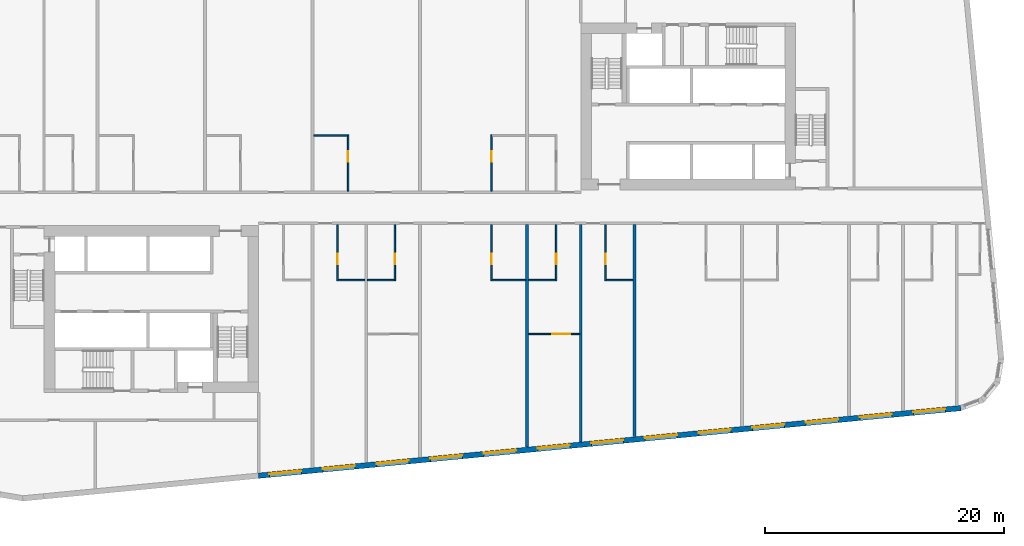
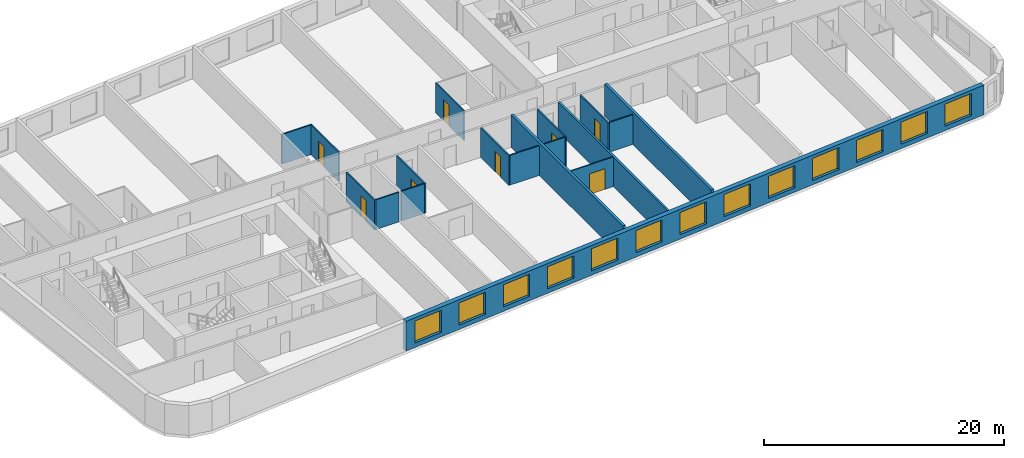
# One storey, part 4 of 12: 18 walls, 13 windows, 8 doors, 21 openings.
"""IFC4 building model written with IfcOpenShell, lengths in metres."""

from ifc_helpers import new_model, si_unit, direction, frame, frame_2d, origin, place, context, subcontext, project, spatial, rectangle, extrude, material, layer, layer_set, type_object, element, fill, save


model = new_model("IFC4")

# Units and contexts
model_context = context("Model", 3, precision=1e-05, world=origin(), true_north=direction((0.0, 1.0)))
body_context = subcontext(model_context, "Body", "Model", "MODEL_VIEW")
ifc_project = project(units=[si_unit("LENGTHUNIT", "METRE"), si_unit("AREAUNIT", "SQUARE_METRE"), si_unit("VOLUMEUNIT", "CUBIC_METRE"), si_unit("PLANEANGLEUNIT", "RADIAN"), si_unit("MASSUNIT", "GRAM", prefix="KILO")], contexts=[model_context])

# Site, building, storey
site_placement = place(None, origin())
site = spatial("IfcSite", under=ifc_project, at=site_placement, CompositionType="ELEMENT")
building_placement = place(site_placement, origin())
building = spatial("IfcBuilding", under=site, at=building_placement, Name="Kajstack Hotel Tower", CompositionType="ELEMENT")
storey_placement = place(building_placement, frame((0.0, 0.0, 114.10009765625)))
storey = spatial("IfcBuildingStorey", under=building, at=storey_placement, Name="L24", CompositionType="ELEMENT", Elevation=114.10009765625)

# Wall
ifc_material_1 = material(Name="Twin-frame gypsum board on steel studs, mineral wool", Category="steel")
ifc_layer_1 = layer(ifc_material_1, 0.199951171875)
ifc_layer_set_1 = layer_set([ifc_layer_1], Name="Demising wall 200")
wall_type_1 = type_object("IfcWallType", Name="Demising wall 200", PredefinedType="PARTITIONING", material=ifc_layer_set_1)
wall_1_placement = place(storey_placement, frame((13.5, -19.633056640625, 0.0), z_axis=(0.0, 0.0, 1.0), x_axis=(0.0, 1.0, 0.0)))
element("IfcWall", 1, at=wall_1_placement, inside=storey, type_object=wall_type_1, Name="G-wall-L24-032", PredefinedType="PARTITIONING", context=body_context, shape_type="SweptSolid", body=[
    extrude(rectangle(XDim=18.233154296875, YDim=0.199951171875, at=frame_2d((9.11669921875, 0.0))), origin(), (0.0, 0.0, 1.0), 3.02001953125),
])

# Wall, openings, windows
ifc_material_2 = material(Name="Terracotta-faced brick masonry", Category="masonry")
ifc_layer_2 = layer(ifc_material_2, 0.449951171875)
ifc_layer_set_2 = layer_set([ifc_layer_2], Name="EW-TERRA")
wall_type_2 = type_object("IfcWallType", Name="EW-TERRA", PredefinedType="SOLIDWALL", material=ifc_layer_set_2)
wall_2_placement = place(storey_placement, frame((-13.521484375, -22.46044921875, 0.0), z_axis=(0.0, 0.0, 1.0), x_axis=(0.995396096335, 0.095846812164, 0.0)))
wall_2 = element("IfcWall", 2, at=wall_2_placement, inside=storey, type_object=wall_type_2, Name="E-wall-L24-04-02", PredefinedType="SOLIDWALL", context=body_context, shape_type="SweptSolid", body=[
    extrude(rectangle(XDim=59.15087890625, YDim=0.449951171875, at=frame_2d((29.575439453125, 0.0))), origin(), (0.0, 0.0, 1.0), 3.02001953125),
])
opening_1_placement = place(wall_2_placement, frame((0.910400390625, 0.0, 0.449951171875)))
opening_1 = element("IfcOpeningElement", 3, at=opening_1_placement, cuts=wall_2, Name="Opening W1", PredefinedType="OPENING", context=body_context, shape_type="SweptSolid", body=[
    extrude(rectangle(XDim=2.699951171875, YDim=2.25, at=frame_2d((1.35009765625, 1.125))), frame((0.0, 0.23486328125, 0.0), z_axis=(0.0, -1.0, 0.0), x_axis=(1.0, 0.0, 0.0)), (0.0, 0.0, 1.0), 0.469970703125),
])
opening_2_placement = place(wall_2_placement, frame((5.43115234375, 0.0, 0.449951171875)))
opening_2 = element("IfcOpeningElement", 4, at=opening_2_placement, cuts=wall_2, Name="Opening W1", PredefinedType="OPENING", context=body_context, shape_type="SweptSolid", body=[
    extrude(rectangle(XDim=2.699951171875, YDim=2.25, at=frame_2d((1.35009765625, 1.125))), frame((0.0, 0.23486328125, 0.0), z_axis=(0.0, -1.0, 0.0), x_axis=(1.0, 0.0, 0.0)), (0.0, 0.0, 1.0), 0.469970703125),
])
opening_3_placement = place(wall_2_placement, frame((9.951904296875, 0.0, 0.449951171875)))
opening_3 = element("IfcOpeningElement", 5, at=opening_3_placement, cuts=wall_2, Name="Opening W1", PredefinedType="OPENING", context=body_context, shape_type="SweptSolid", body=[
    extrude(rectangle(XDim=2.699951171875, YDim=2.25, at=frame_2d((1.35009765625, 1.125))), frame((0.0, 0.23486328125, 0.0), z_axis=(0.0, -1.0, 0.0), x_axis=(1.0, 0.0, 0.0)), (0.0, 0.0, 1.0), 0.469970703125),
])
opening_4_placement = place(wall_2_placement, frame((14.472900390625, 0.0, 0.449951171875)))
opening_4 = element("IfcOpeningElement", 6, at=opening_4_placement, cuts=wall_2, Name="Opening W1", PredefinedType="OPENING", context=body_context, shape_type="SweptSolid", body=[
    extrude(rectangle(XDim=2.699951171875, YDim=2.25, at=frame_2d((1.35009765625, 1.125))), frame((0.0, 0.23486328125, 0.0), z_axis=(0.0, -1.0, 0.0), x_axis=(1.0, 0.0, 0.0)), (0.0, 0.0, 1.0), 0.469970703125),
])
opening_5_placement = place(wall_2_placement, frame((18.99365234375, 0.0, 0.449951171875)))
opening_5 = element("IfcOpeningElement", 7, at=opening_5_placement, cuts=wall_2, Name="Opening W1", PredefinedType="OPENING", context=body_context, shape_type="SweptSolid", body=[
    extrude(rectangle(XDim=2.699951171875, YDim=2.25, at=frame_2d((1.35009765625, 1.125))), frame((0.0, 0.23486328125, 0.0), z_axis=(0.0, -1.0, 0.0), x_axis=(1.0, 0.0, 0.0)), (0.0, 0.0, 1.0), 0.469970703125),
])
opening_6_placement = place(wall_2_placement, frame((23.514404296875, 0.0, 0.449951171875)))
opening_6 = element("IfcOpeningElement", 8, at=opening_6_placement, cuts=wall_2, Name="Opening W1", PredefinedType="OPENING", context=body_context, shape_type="SweptSolid", body=[
    extrude(rectangle(XDim=2.699951171875, YDim=2.25, at=frame_2d((1.35009765625, 1.125))), frame((0.0, 0.23486328125, 0.0), z_axis=(0.0, -1.0, 0.0), x_axis=(1.0, 0.0, 0.0)), (0.0, 0.0, 1.0), 0.469970703125),
])
opening_7_placement = place(wall_2_placement, frame((28.035400390625, 0.0, 0.449951171875)))
opening_7 = element("IfcOpeningElement", 9, at=opening_7_placement, cuts=wall_2, Name="Opening W1", PredefinedType="OPENING", context=body_context, shape_type="SweptSolid", body=[
    extrude(rectangle(XDim=2.699951171875, YDim=2.25, at=frame_2d((1.35009765625, 1.125))), frame((0.0, 0.23486328125, 0.0), z_axis=(0.0, -1.0, 0.0), x_axis=(1.0, 0.0, 0.0)), (0.0, 0.0, 1.0), 0.469970703125),
])
opening_8_placement = place(wall_2_placement, frame((32.55615234375, 0.0, 0.449951171875)))
opening_8 = element("IfcOpeningElement", 10, at=opening_8_placement, cuts=wall_2, Name="Opening W1", PredefinedType="OPENING", context=body_context, shape_type="SweptSolid", body=[
    extrude(rectangle(XDim=2.699951171875, YDim=2.25, at=frame_2d((1.35009765625, 1.125))), frame((0.0, 0.23486328125, 0.0), z_axis=(0.0, -1.0, 0.0), x_axis=(1.0, 0.0, 0.0)), (0.0, 0.0, 1.0), 0.469970703125),
])
opening_9_placement = place(wall_2_placement, frame((37.076904296875, 0.0, 0.449951171875)))
opening_9 = element("IfcOpeningElement", 11, at=opening_9_placement, cuts=wall_2, Name="Opening W1", PredefinedType="OPENING", context=body_context, shape_type="SweptSolid", body=[
    extrude(rectangle(XDim=2.699951171875, YDim=2.25, at=frame_2d((1.35009765625, 1.125))), frame((0.0, 0.23486328125, 0.0), z_axis=(0.0, -1.0, 0.0), x_axis=(1.0, 0.0, 0.0)), (0.0, 0.0, 1.0), 0.469970703125),
])
opening_10_placement = place(wall_2_placement, frame((41.59765625, 0.0, 0.449951171875)))
opening_10 = element("IfcOpeningElement", 12, at=opening_10_placement, cuts=wall_2, Name="Opening W1", PredefinedType="OPENING", context=body_context, shape_type="SweptSolid", body=[
    extrude(rectangle(XDim=2.699951171875, YDim=2.25, at=frame_2d((1.35009765625, 1.125))), frame((0.0, 0.23486328125, 0.0), z_axis=(0.0, -1.0, 0.0), x_axis=(1.0, 0.0, 0.0)), (0.0, 0.0, 1.0), 0.469970703125),
])
opening_11_placement = place(wall_2_placement, frame((46.118408203125, 0.0, 0.449951171875)))
opening_11 = element("IfcOpeningElement", 13, at=opening_11_placement, cuts=wall_2, Name="Opening W1", PredefinedType="OPENING", context=body_context, shape_type="SweptSolid", body=[
    extrude(rectangle(XDim=2.699951171875, YDim=2.25, at=frame_2d((1.35009765625, 1.125))), frame((0.0, 0.23486328125, 0.0), z_axis=(0.0, -1.0, 0.0), x_axis=(1.0, 0.0, 0.0)), (0.0, 0.0, 1.0), 0.469970703125),
])
opening_12_placement = place(wall_2_placement, frame((50.639404296875, 0.0, 0.449951171875)))
opening_12 = element("IfcOpeningElement", 14, at=opening_12_placement, cuts=wall_2, Name="Opening W1", PredefinedType="OPENING", context=body_context, shape_type="SweptSolid", body=[
    extrude(rectangle(XDim=2.699951171875, YDim=2.25, at=frame_2d((1.35009765625, 1.125))), frame((0.0, 0.23486328125, 0.0), z_axis=(0.0, -1.0, 0.0), x_axis=(1.0, 0.0, 0.0)), (0.0, 0.0, 1.0), 0.469970703125),
])
opening_13_placement = place(wall_2_placement, frame((55.149658203125, 0.0, 0.449951171875)))
opening_13 = element("IfcOpeningElement", 15, at=opening_13_placement, cuts=wall_2, Name="Opening W1", PredefinedType="OPENING", context=body_context, shape_type="SweptSolid", body=[
    extrude(rectangle(XDim=2.699951171875, YDim=2.25, at=frame_2d((1.35009765625, 1.125))), frame((0.0, 0.23486328125, 0.0), z_axis=(0.0, -1.0, 0.0), x_axis=(1.0, 0.0, 0.0)), (0.0, 0.0, 1.0), 0.469970703125),
])
ifc_material_3 = material(Name="Timber-aluminium window, triple glazed", Category="wood")
window_type = type_object("IfcWindowType", Name="WG1", PartitioningType="SINGLE_PANEL", PredefinedType="WINDOW", material=ifc_material_3)
window_1_placement = place(opening_1_placement, origin())
window_1 = element("IfcWindow", 16, at=window_1_placement, inside=storey, type_object=window_type, Name="Window W1 L24-04", OverallHeight=2.25, OverallWidth=2.699951171875, PartitioningType="SINGLE_PANEL", PredefinedType="WINDOW", context=body_context, shape_type="SweptSolid", body=[
    extrude(rectangle(XDim=2.699951171875, YDim=2.25, at=frame_2d((1.35009765625, 1.125))), frame((0.0, 0.090087890625, 0.0), z_axis=(0.0, -1.0, 0.0), x_axis=(1.0, 0.0, 0.0)), (0.0, 0.0, 1.0), 0.06005859375),
])
fill(opening_1, window_1)
window_2_placement = place(opening_2_placement, origin())
window_2 = element("IfcWindow", 17, at=window_2_placement, inside=storey, type_object=window_type, Name="Window W1 L24-04", OverallHeight=2.25, OverallWidth=2.699951171875, PartitioningType="SINGLE_PANEL", PredefinedType="WINDOW", context=body_context, shape_type="SweptSolid", body=[
    extrude(rectangle(XDim=2.699951171875, YDim=2.25, at=frame_2d((1.35009765625, 1.125))), frame((0.0, 0.090087890625, 0.0), z_axis=(0.0, -1.0, 0.0), x_axis=(1.0, 0.0, 0.0)), (0.0, 0.0, 1.0), 0.06005859375),
])
fill(opening_2, window_2)
window_3_placement = place(opening_3_placement, origin())
window_3 = element("IfcWindow", 18, at=window_3_placement, inside=storey, type_object=window_type, Name="Window W1 L24-04", OverallHeight=2.25, OverallWidth=2.699951171875, PartitioningType="SINGLE_PANEL", PredefinedType="WINDOW", context=body_context, shape_type="SweptSolid", body=[
    extrude(rectangle(XDim=2.699951171875, YDim=2.25, at=frame_2d((1.35009765625, 1.125))), frame((0.0, 0.090087890625, 0.0), z_axis=(0.0, -1.0, 0.0), x_axis=(1.0, 0.0, 0.0)), (0.0, 0.0, 1.0), 0.06005859375),
])
fill(opening_3, window_3)
window_4_placement = place(opening_4_placement, origin())
window_4 = element("IfcWindow", 19, at=window_4_placement, inside=storey, type_object=window_type, Name="Window W1 L24-04", OverallHeight=2.25, OverallWidth=2.699951171875, PartitioningType="SINGLE_PANEL", PredefinedType="WINDOW", context=body_context, shape_type="SweptSolid", body=[
    extrude(rectangle(XDim=2.699951171875, YDim=2.25, at=frame_2d((1.35009765625, 1.125))), frame((0.0, 0.090087890625, 0.0), z_axis=(0.0, -1.0, 0.0), x_axis=(1.0, 0.0, 0.0)), (0.0, 0.0, 1.0), 0.06005859375),
])
fill(opening_4, window_4)
window_5_placement = place(opening_5_placement, origin())
window_5 = element("IfcWindow", 20, at=window_5_placement, inside=storey, type_object=window_type, Name="Window W1 L24-04", OverallHeight=2.25, OverallWidth=2.699951171875, PartitioningType="SINGLE_PANEL", PredefinedType="WINDOW", context=body_context, shape_type="SweptSolid", body=[
    extrude(rectangle(XDim=2.699951171875, YDim=2.25, at=frame_2d((1.35009765625, 1.125))), frame((0.0, 0.090087890625, 0.0), z_axis=(0.0, -1.0, 0.0), x_axis=(1.0, 0.0, 0.0)), (0.0, 0.0, 1.0), 0.06005859375),
])
fill(opening_5, window_5)
window_6_placement = place(opening_6_placement, origin())
window_6 = element("IfcWindow", 21, at=window_6_placement, inside=storey, type_object=window_type, Name="Window W1 L24-04", OverallHeight=2.25, OverallWidth=2.699951171875, PartitioningType="SINGLE_PANEL", PredefinedType="WINDOW", context=body_context, shape_type="SweptSolid", body=[
    extrude(rectangle(XDim=2.699951171875, YDim=2.25, at=frame_2d((1.35009765625, 1.125))), frame((0.0, 0.090087890625, 0.0), z_axis=(0.0, -1.0, 0.0), x_axis=(1.0, 0.0, 0.0)), (0.0, 0.0, 1.0), 0.06005859375),
])
fill(opening_6, window_6)
window_7_placement = place(opening_7_placement, origin())
window_7 = element("IfcWindow", 22, at=window_7_placement, inside=storey, type_object=window_type, Name="Window W1 L24-04", OverallHeight=2.25, OverallWidth=2.699951171875, PartitioningType="SINGLE_PANEL", PredefinedType="WINDOW", context=body_context, shape_type="SweptSolid", body=[
    extrude(rectangle(XDim=2.699951171875, YDim=2.25, at=frame_2d((1.35009765625, 1.125))), frame((0.0, 0.090087890625, 0.0), z_axis=(0.0, -1.0, 0.0), x_axis=(1.0, 0.0, 0.0)), (0.0, 0.0, 1.0), 0.06005859375),
])
fill(opening_7, window_7)
window_8_placement = place(opening_8_placement, origin())
window_8 = element("IfcWindow", 23, at=window_8_placement, inside=storey, type_object=window_type, Name="Window W1 L24-04", OverallHeight=2.25, OverallWidth=2.699951171875, PartitioningType="SINGLE_PANEL", PredefinedType="WINDOW", context=body_context, shape_type="SweptSolid", body=[
    extrude(rectangle(XDim=2.699951171875, YDim=2.25, at=frame_2d((1.35009765625, 1.125))), frame((0.0, 0.090087890625, 0.0), z_axis=(0.0, -1.0, 0.0), x_axis=(1.0, 0.0, 0.0)), (0.0, 0.0, 1.0), 0.06005859375),
])
fill(opening_8, window_8)
window_9_placement = place(opening_9_placement, origin())
window_9 = element("IfcWindow", 24, at=window_9_placement, inside=storey, type_object=window_type, Name="Window W1 L24-04", OverallHeight=2.25, OverallWidth=2.699951171875, PartitioningType="SINGLE_PANEL", PredefinedType="WINDOW", context=body_context, shape_type="SweptSolid", body=[
    extrude(rectangle(XDim=2.699951171875, YDim=2.25, at=frame_2d((1.35009765625, 1.125))), frame((0.0, 0.090087890625, 0.0), z_axis=(0.0, -1.0, 0.0), x_axis=(1.0, 0.0, 0.0)), (0.0, 0.0, 1.0), 0.06005859375),
])
fill(opening_9, window_9)
window_10_placement = place(opening_10_placement, origin())
window_10 = element("IfcWindow", 25, at=window_10_placement, inside=storey, type_object=window_type, Name="Window W1 L24-04", OverallHeight=2.25, OverallWidth=2.699951171875, PartitioningType="SINGLE_PANEL", PredefinedType="WINDOW", context=body_context, shape_type="SweptSolid", body=[
    extrude(rectangle(XDim=2.699951171875, YDim=2.25, at=frame_2d((1.35009765625, 1.125))), frame((0.0, 0.090087890625, 0.0), z_axis=(0.0, -1.0, 0.0), x_axis=(1.0, 0.0, 0.0)), (0.0, 0.0, 1.0), 0.06005859375),
])
fill(opening_10, window_10)
window_11_placement = place(opening_11_placement, origin())
window_11 = element("IfcWindow", 26, at=window_11_placement, inside=storey, type_object=window_type, Name="Window W1 L24-04", OverallHeight=2.25, OverallWidth=2.699951171875, PartitioningType="SINGLE_PANEL", PredefinedType="WINDOW", context=body_context, shape_type="SweptSolid", body=[
    extrude(rectangle(XDim=2.699951171875, YDim=2.25, at=frame_2d((1.35009765625, 1.125))), frame((0.0, 0.090087890625, 0.0), z_axis=(0.0, -1.0, 0.0), x_axis=(1.0, 0.0, 0.0)), (0.0, 0.0, 1.0), 0.06005859375),
])
fill(opening_11, window_11)
window_12_placement = place(opening_12_placement, origin())
window_12 = element("IfcWindow", 27, at=window_12_placement, inside=storey, type_object=window_type, Name="Window W1 L24-04", OverallHeight=2.25, OverallWidth=2.699951171875, PartitioningType="SINGLE_PANEL", PredefinedType="WINDOW", context=body_context, shape_type="SweptSolid", body=[
    extrude(rectangle(XDim=2.699951171875, YDim=2.25, at=frame_2d((1.35009765625, 1.125))), frame((0.0, 0.090087890625, 0.0), z_axis=(0.0, -1.0, 0.0), x_axis=(1.0, 0.0, 0.0)), (0.0, 0.0, 1.0), 0.06005859375),
])
fill(opening_12, window_12)
window_13_placement = place(opening_13_placement, origin())
window_13 = element("IfcWindow", 28, at=window_13_placement, inside=storey, type_object=window_type, Name="Window W1 L24-04", OverallHeight=2.25, OverallWidth=2.699951171875, PartitioningType="SINGLE_PANEL", PredefinedType="WINDOW", context=body_context, shape_type="SweptSolid", body=[
    extrude(rectangle(XDim=2.699951171875, YDim=2.25, at=frame_2d((1.35009765625, 1.125))), frame((0.0, 0.090087890625, 0.0), z_axis=(0.0, -1.0, 0.0), x_axis=(1.0, 0.0, 0.0)), (0.0, 0.0, 1.0), 0.06005859375),
])
fill(opening_13, window_13)

# Wall, opening, door
ifc_material_4 = material(Name="Gypsum board and tiled backer on steel studs", Category="steel")
ifc_layer_3 = layer(ifc_material_4, 0.125)
ifc_layer_set_3 = layer_set([ifc_layer_3], Name="En-suite wall 125")
wall_type_3 = type_object("IfcWallType", Name="En-suite wall 125", PredefinedType="PARTITIONING", material=ifc_layer_set_3)
wall_3_placement = place(storey_placement, frame((-6.012939453125, 1.39990234375, 0.0), z_axis=(0.0, 0.0, 1.0), x_axis=(0.0, 1.0, 0.0)))
wall_3 = element("IfcWall", 29, at=wall_3_placement, inside=storey, type_object=wall_type_3, Name="G-wall-L24-015", PredefinedType="PARTITIONING", context=body_context, shape_type="SweptSolid", body=[
    extrude(rectangle(XDim=4.72509765625, YDim=0.125, at=frame_2d((2.362548828125, 0.0))), origin(), (0.0, 0.0, 1.0), 3.02001953125),
])
opening_14_placement = place(wall_3_placement, frame((2.449951171875, 0.0, 0.0)))
opening_14 = element("IfcOpeningElement", 30, at=opening_14_placement, cuts=wall_3, Name="Opening 24012", PredefinedType="OPENING", context=body_context, shape_type="SweptSolid", body=[
    extrude(rectangle(XDim=0.89990234375, YDim=2.10009765625, at=frame_2d((0.449951171875, 1.050048828125))), frame((0.0, 0.072509765625, 0.0), z_axis=(0.0, -1.0, 0.0), x_axis=(1.0, 0.0, 0.0)), (0.0, 0.0, 1.0), 0.14501953125),
])
ifc_material_5 = material(Name="Painted timber door leaf", Category="wood")
door_type_1 = type_object("IfcDoorType", Name="Room door 900", OperationType="SINGLE_SWING_LEFT", PredefinedType="DOOR", material=ifc_material_5)
door_1_placement = place(opening_14_placement, origin())
door_1 = element("IfcDoor", 31, at=door_1_placement, inside=storey, type_object=door_type_1, Name="G-door-L24-12", OperationType="SINGLE_SWING_RIGHT", OverallHeight=2.10009765625, OverallWidth=0.89990234375, PredefinedType="DOOR", context=body_context, shape_type="SweptSolid", body=[
    extrude(rectangle(XDim=0.89990234375, YDim=2.10009765625, at=frame_2d((0.449951171875, 1.050048828125))), frame((0.0, 0.02490234375, 0.0), z_axis=(0.0, -1.0, 0.0), x_axis=(1.0, 0.0, 0.0)), (0.0, 0.0, 1.0), 0.050048828125),
])
fill(opening_14, door_1)

# Wall
wall_4_placement = place(storey_placement, frame((-8.875, 6.06201171875, 0.0), z_axis=(0.0, 0.0, 1.0), x_axis=(1.0, 0.0, 0.0)))
element("IfcWall", 32, at=wall_4_placement, inside=storey, type_object=wall_type_3, Name="G-wall-L24-016", PredefinedType="PARTITIONING", context=body_context, shape_type="SweptSolid", body=[
    extrude(rectangle(XDim=2.800048828125, YDim=0.125, at=frame_2d((1.39990234375, 0.0))), origin(), (0.0, 0.0, 1.0), 3.02001953125),
])

# Wall, opening, door
wall_5_placement = place(storey_placement, frame((6.012939453125, 1.39990234375, 0.0), z_axis=(0.0, 0.0, 1.0), x_axis=(0.0, 1.0, 0.0)))
wall_5 = element("IfcWall", 33, at=wall_5_placement, inside=storey, type_object=wall_type_3, Name="G-wall-L24-017", PredefinedType="PARTITIONING", context=body_context, shape_type="SweptSolid", body=[
    extrude(rectangle(XDim=4.72509765625, YDim=0.125, at=frame_2d((2.362548828125, 0.0))), origin(), (0.0, 0.0, 1.0), 3.02001953125),
])
opening_15_placement = place(wall_5_placement, frame((2.449951171875, 0.0, 0.0)))
opening_15 = element("IfcOpeningElement", 34, at=opening_15_placement, cuts=wall_5, Name="Opening 24014", PredefinedType="OPENING", context=body_context, shape_type="SweptSolid", body=[
    extrude(rectangle(XDim=0.89990234375, YDim=2.10009765625, at=frame_2d((0.449951171875, 1.050048828125))), frame((0.0, 0.072509765625, 0.0), z_axis=(0.0, -1.0, 0.0), x_axis=(1.0, 0.0, 0.0)), (0.0, 0.0, 1.0), 0.14501953125),
])
door_2_placement = place(opening_15_placement, origin())
door_2 = element("IfcDoor", 35, at=door_2_placement, inside=storey, type_object=door_type_1, Name="G-door-L24-14", OperationType="SINGLE_SWING_LEFT", OverallHeight=2.10009765625, OverallWidth=0.89990234375, PredefinedType="DOOR", context=body_context, shape_type="SweptSolid", body=[
    extrude(rectangle(XDim=0.89990234375, YDim=2.10009765625, at=frame_2d((0.449951171875, 1.050048828125))), frame((0.0, 0.02490234375, 0.0), z_axis=(0.0, -1.0, 0.0), x_axis=(1.0, 0.0, 0.0)), (0.0, 0.0, 1.0), 0.050048828125),
])
fill(opening_15, door_2)

wall_6_placement = place(storey_placement, frame((-6.912109375, -6.125, 0.0), z_axis=(0.0, 0.0, 1.0), x_axis=(0.0, 1.0, 0.0)))
wall_6 = element("IfcWall", 36, at=wall_6_placement, inside=storey, type_object=wall_type_3, Name="G-wall-L24-025", PredefinedType="PARTITIONING", context=body_context, shape_type="SweptSolid", body=[
    extrude(rectangle(XDim=4.72509765625, YDim=0.125, at=frame_2d((2.362548828125, 0.0))), origin(), (0.0, 0.0, 1.0), 3.02001953125),
])
opening_16_placement = place(wall_6_placement, frame((1.375, 0.0, 0.0)))
opening_16 = element("IfcOpeningElement", 37, at=opening_16_placement, cuts=wall_6, Name="Opening 24020", PredefinedType="OPENING", context=body_context, shape_type="SweptSolid", body=[
    extrude(rectangle(XDim=0.89990234375, YDim=2.10009765625, at=frame_2d((0.449951171875, 1.050048828125))), frame((0.0, 0.072509765625, 0.0), z_axis=(0.0, -1.0, 0.0), x_axis=(1.0, 0.0, 0.0)), (0.0, 0.0, 1.0), 0.14501953125),
])
door_3_placement = place(opening_16_placement, origin())
door_3 = element("IfcDoor", 38, at=door_3_placement, inside=storey, type_object=door_type_1, Name="G-door-L24-20", OperationType="SINGLE_SWING_RIGHT", OverallHeight=2.10009765625, OverallWidth=0.89990234375, PredefinedType="DOOR", context=body_context, shape_type="SweptSolid", body=[
    extrude(rectangle(XDim=0.89990234375, YDim=2.10009765625, at=frame_2d((0.449951171875, 1.050048828125))), frame((0.0, 0.02490234375, 0.0), z_axis=(0.0, -1.0, 0.0), x_axis=(1.0, 0.0, 0.0)), (0.0, 0.0, 1.0), 0.050048828125),
])
fill(opening_16, door_3)

# Wall
wall_7_placement = place(storey_placement, frame((-6.85009765625, -6.06201171875, 0.0), z_axis=(0.0, 0.0, 1.0), x_axis=(1.0, 0.0, 0.0)))
element("IfcWall", 39, at=wall_7_placement, inside=storey, type_object=wall_type_3, Name="G-wall-L24-026", PredefinedType="PARTITIONING", context=body_context, shape_type="SweptSolid", body=[
    extrude(rectangle(XDim=2.25, YDim=0.125, at=frame_2d((1.125, 0.0))), origin(), (0.0, 0.0, 1.0), 3.02001953125),
])

# Wall, opening, door
wall_8_placement = place(storey_placement, frame((-2.0869140625, -6.125, 0.0), z_axis=(0.0, 0.0, 1.0), x_axis=(0.0, 1.0, 0.0)))
wall_8 = element("IfcWall", 40, at=wall_8_placement, inside=storey, type_object=wall_type_3, Name="G-wall-L24-027", PredefinedType="PARTITIONING", context=body_context, shape_type="SweptSolid", body=[
    extrude(rectangle(XDim=4.72509765625, YDim=0.125, at=frame_2d((2.362548828125, 0.0))), origin(), (0.0, 0.0, 1.0), 3.02001953125),
])
opening_17_placement = place(wall_8_placement, frame((1.375, 0.0, 0.0)))
opening_17 = element("IfcOpeningElement", 41, at=opening_17_placement, cuts=wall_8, Name="Opening 24022", PredefinedType="OPENING", context=body_context, shape_type="SweptSolid", body=[
    extrude(rectangle(XDim=0.89990234375, YDim=2.10009765625, at=frame_2d((0.449951171875, 1.050048828125))), frame((0.0, 0.072509765625, 0.0), z_axis=(0.0, -1.0, 0.0), x_axis=(1.0, 0.0, 0.0)), (0.0, 0.0, 1.0), 0.14501953125),
])
door_4_placement = place(opening_17_placement, origin())
door_4 = element("IfcDoor", 42, at=door_4_placement, inside=storey, type_object=door_type_1, Name="G-door-L24-22", OperationType="SINGLE_SWING_LEFT", OverallHeight=2.10009765625, OverallWidth=0.89990234375, PredefinedType="DOOR", context=body_context, shape_type="SweptSolid", body=[
    extrude(rectangle(XDim=0.89990234375, YDim=2.10009765625, at=frame_2d((0.449951171875, 1.050048828125))), frame((0.0, 0.02490234375, 0.0), z_axis=(0.0, -1.0, 0.0), x_axis=(1.0, 0.0, 0.0)), (0.0, 0.0, 1.0), 0.050048828125),
])
fill(opening_17, door_4)

# Wall
wall_9_placement = place(storey_placement, frame((-4.39990234375, -6.06201171875, 0.0), z_axis=(0.0, 0.0, 1.0), x_axis=(1.0, 0.0, 0.0)))
element("IfcWall", 43, at=wall_9_placement, inside=storey, type_object=wall_type_3, Name="G-wall-L24-028", PredefinedType="PARTITIONING", context=body_context, shape_type="SweptSolid", body=[
    extrude(rectangle(XDim=2.25, YDim=0.125, at=frame_2d((1.125, 0.0))), origin(), (0.0, 0.0, 1.0), 3.02001953125),
])

# Wall, opening, door
wall_10_placement = place(storey_placement, frame((6.012939453125, -6.125, 0.0), z_axis=(0.0, 0.0, 1.0), x_axis=(0.0, 1.0, 0.0)))
wall_10 = element("IfcWall", 44, at=wall_10_placement, inside=storey, type_object=wall_type_3, Name="G-wall-L24-030", PredefinedType="PARTITIONING", context=body_context, shape_type="SweptSolid", body=[
    extrude(rectangle(XDim=4.72509765625, YDim=0.125, at=frame_2d((2.362548828125, 0.0))), origin(), (0.0, 0.0, 1.0), 3.02001953125),
])
opening_18_placement = place(wall_10_placement, frame((1.375, 0.0, 0.0)))
opening_18 = element("IfcOpeningElement", 45, at=opening_18_placement, cuts=wall_10, Name="Opening 24025", PredefinedType="OPENING", context=body_context, shape_type="SweptSolid", body=[
    extrude(rectangle(XDim=0.89990234375, YDim=2.10009765625, at=frame_2d((0.449951171875, 1.050048828125))), frame((0.0, 0.072509765625, 0.0), z_axis=(0.0, -1.0, 0.0), x_axis=(1.0, 0.0, 0.0)), (0.0, 0.0, 1.0), 0.14501953125),
])
door_5_placement = place(opening_18_placement, origin())
door_5 = element("IfcDoor", 46, at=door_5_placement, inside=storey, type_object=door_type_1, Name="G-door-L24-25", OperationType="SINGLE_SWING_LEFT", OverallHeight=2.10009765625, OverallWidth=0.89990234375, PredefinedType="DOOR", context=body_context, shape_type="SweptSolid", body=[
    extrude(rectangle(XDim=0.89990234375, YDim=2.10009765625, at=frame_2d((0.449951171875, 1.050048828125))), frame((0.0, 0.02490234375, 0.0), z_axis=(0.0, -1.0, 0.0), x_axis=(1.0, 0.0, 0.0)), (0.0, 0.0, 1.0), 0.050048828125),
])
fill(opening_18, door_5)

# Wall
wall_11_placement = place(storey_placement, frame((6.074951171875, -6.06201171875, 0.0), z_axis=(0.0, 0.0, 1.0), x_axis=(1.0, 0.0, 0.0)))
element("IfcWall", 47, at=wall_11_placement, inside=storey, type_object=wall_type_3, Name="G-wall-L24-031", PredefinedType="PARTITIONING", context=body_context, shape_type="SweptSolid", body=[
    extrude(rectangle(XDim=2.800048828125, YDim=0.125, at=frame_2d((1.39990234375, 0.0))), origin(), (0.0, 0.0, 1.0), 3.02001953125),
])

# Wall, opening, door
wall_12_placement = place(storey_placement, frame((11.43798828125, -6.125, 0.0), z_axis=(0.0, 0.0, 1.0), x_axis=(0.0, 1.0, 0.0)))
wall_12 = element("IfcWall", 48, at=wall_12_placement, inside=storey, type_object=wall_type_3, Name="G-wall-L24-033", PredefinedType="PARTITIONING", context=body_context, shape_type="SweptSolid", body=[
    extrude(rectangle(XDim=4.72509765625, YDim=0.125, at=frame_2d((2.362548828125, 0.0))), origin(), (0.0, 0.0, 1.0), 3.02001953125),
])
opening_19_placement = place(wall_12_placement, frame((1.375, 0.0, 0.0)))
opening_19 = element("IfcOpeningElement", 49, at=opening_19_placement, cuts=wall_12, Name="Opening 24027", PredefinedType="OPENING", context=body_context, shape_type="SweptSolid", body=[
    extrude(rectangle(XDim=0.89990234375, YDim=2.10009765625, at=frame_2d((0.449951171875, 1.050048828125))), frame((0.0, 0.072509765625, 0.0), z_axis=(0.0, -1.0, 0.0), x_axis=(1.0, 0.0, 0.0)), (0.0, 0.0, 1.0), 0.14501953125),
])
door_6_placement = place(opening_19_placement, origin())
door_6 = element("IfcDoor", 50, at=door_6_placement, inside=storey, type_object=door_type_1, Name="G-door-L24-27", OperationType="SINGLE_SWING_RIGHT", OverallHeight=2.10009765625, OverallWidth=0.89990234375, PredefinedType="DOOR", context=body_context, shape_type="SweptSolid", body=[
    extrude(rectangle(XDim=0.89990234375, YDim=2.10009765625, at=frame_2d((0.449951171875, 1.050048828125))), frame((0.0, 0.02490234375, 0.0), z_axis=(0.0, -1.0, 0.0), x_axis=(1.0, 0.0, 0.0)), (0.0, 0.0, 1.0), 0.050048828125),
])
fill(opening_19, door_6)

# Wall
wall_13_placement = place(storey_placement, frame((9.125, -6.06201171875, 0.0), z_axis=(0.0, 0.0, 1.0), x_axis=(1.0, 0.0, 0.0)))
element("IfcWall", 51, at=wall_13_placement, inside=storey, type_object=wall_type_3, Name="G-wall-L24-034", PredefinedType="PARTITIONING", context=body_context, shape_type="SweptSolid", body=[
    extrude(rectangle(XDim=2.25, YDim=0.125, at=frame_2d((1.125, 0.0))), origin(), (0.0, 0.0, 1.0), 3.02001953125),
])

# Wall, opening, door
wall_14_placement = place(storey_placement, frame((15.56201171875, -6.125, 0.0), z_axis=(0.0, 0.0, 1.0), x_axis=(0.0, 1.0, 0.0)))
wall_14 = element("IfcWall", 52, at=wall_14_placement, inside=storey, type_object=wall_type_3, Name="G-wall-L24-036", PredefinedType="PARTITIONING", context=body_context, shape_type="SweptSolid", body=[
    extrude(rectangle(XDim=4.72509765625, YDim=0.125, at=frame_2d((2.362548828125, 0.0))), origin(), (0.0, 0.0, 1.0), 3.02001953125),
])
opening_20_placement = place(wall_14_placement, frame((1.375, 0.0, 0.0)))
opening_20 = element("IfcOpeningElement", 53, at=opening_20_placement, cuts=wall_14, Name="Opening 24030", PredefinedType="OPENING", context=body_context, shape_type="SweptSolid", body=[
    extrude(rectangle(XDim=0.89990234375, YDim=2.10009765625, at=frame_2d((0.449951171875, 1.050048828125))), frame((0.0, 0.072509765625, 0.0), z_axis=(0.0, -1.0, 0.0), x_axis=(1.0, 0.0, 0.0)), (0.0, 0.0, 1.0), 0.14501953125),
])
door_7_placement = place(opening_20_placement, origin())
door_7 = element("IfcDoor", 54, at=door_7_placement, inside=storey, type_object=door_type_1, Name="G-door-L24-30", OperationType="SINGLE_SWING_RIGHT", OverallHeight=2.10009765625, OverallWidth=0.89990234375, PredefinedType="DOOR", context=body_context, shape_type="SweptSolid", body=[
    extrude(rectangle(XDim=0.89990234375, YDim=2.10009765625, at=frame_2d((0.449951171875, 1.050048828125))), frame((0.0, 0.02490234375, 0.0), z_axis=(0.0, -1.0, 0.0), x_axis=(1.0, 0.0, 0.0)), (0.0, 0.0, 1.0), 0.050048828125),
])
fill(opening_20, door_7)

# Wall
wall_15_placement = place(storey_placement, frame((15.625, -6.06201171875, 0.0), z_axis=(0.0, 0.0, 1.0), x_axis=(1.0, 0.0, 0.0)))
element("IfcWall", 55, at=wall_15_placement, inside=storey, type_object=wall_type_3, Name="G-wall-L24-037", PredefinedType="PARTITIONING", context=body_context, shape_type="SweptSolid", body=[
    extrude(rectangle(XDim=2.25, YDim=0.125, at=frame_2d((1.125, 0.0))), origin(), (0.0, 0.0, 1.0), 3.02001953125),
])

# Wall, opening, door
ifc_material_6 = material(Name="Gypsum board on steel studs", Category="steel")
ifc_layer_4 = layer(ifc_material_6, 0.10009765625)
ifc_layer_set_4 = layer_set([ifc_layer_4], Name="Partition 100")
wall_type_4 = type_object("IfcWallType", Name="Partition 100", PredefinedType="PARTITIONING", material=ifc_layer_set_4)
wall_16_placement = place(storey_placement, frame((9.125, -10.574951171875, 0.0), z_axis=(0.0, 0.0, 1.0), x_axis=(1.0, 0.0, 0.0)))
wall_16 = element("IfcWall", 56, at=wall_16_placement, inside=storey, type_object=wall_type_4, Name="G-wall-L24-035", PredefinedType="PARTITIONING", context=body_context, shape_type="SweptSolid", body=[
    extrude(rectangle(XDim=4.27490234375, YDim=0.10009765625, at=frame_2d((2.137451171875, 0.0))), origin(), (0.0, 0.0, 1.0), 3.02001953125),
])
opening_21_placement = place(wall_16_placement, frame((1.987060546875, 0.0, 0.0)))
opening_21 = element("IfcOpeningElement", 57, at=opening_21_placement, cuts=wall_16, Name="Opening 24028", PredefinedType="OPENING", context=body_context, shape_type="SweptSolid", body=[
    extrude(rectangle(XDim=1.5, YDim=2.10009765625, at=frame_2d((0.75, 1.050048828125))), frame((0.0, 0.06005859375, 0.0), z_axis=(0.0, -1.0, 0.0), x_axis=(1.0, 0.0, 0.0)), (0.0, 0.0, 1.0), 0.1201171875),
])
ifc_material_7 = material(Name="Painted timber door leaves, glazed panels", Category="wood")
door_type_2 = type_object("IfcDoorType", Name="Double door 1500", OperationType="SINGLE_SWING_LEFT", PredefinedType="DOOR", material=ifc_material_7)
door_8_placement = place(opening_21_placement, origin())
door_8 = element("IfcDoor", 58, at=door_8_placement, inside=storey, type_object=door_type_2, Name="G-door-L24-28", OperationType="SINGLE_SWING_LEFT", OverallHeight=2.10009765625, OverallWidth=1.5, PredefinedType="DOOR", context=body_context, shape_type="SweptSolid", body=[
    extrude(rectangle(XDim=1.5, YDim=2.10009765625, at=frame_2d((0.75, 1.050048828125))), frame((0.0, 0.02490234375, 0.0), z_axis=(0.0, -1.0, 0.0), x_axis=(1.0, 0.0, 0.0)), (0.0, 0.0, 1.0), 0.050048828125),
])
fill(opening_21, door_8)

# Walls
ifc_material_8 = material(Name="Concrete C55/67", Category="concrete")
ifc_layer_5 = layer(ifc_material_8, 0.25)
ifc_layer_set_5 = layer_set([ifc_layer_5], Name="RC cross wall 250 C55/67")
wall_type_5 = type_object("IfcWallType", Name="RC cross wall 250 C55/67", PredefinedType="SHEAR", material=ifc_layer_set_5)
wall_17_placement = place(storey_placement, frame((9.0, -20.043701171875, 0.0), z_axis=(0.0, 0.0, 1.0), x_axis=(0.0, 1.0, 0.0)))
element("IfcWall", 59, at=wall_17_placement, inside=storey, type_object=wall_type_5, Name="S-wall-L24-08", PredefinedType="SHEAR", context=body_context, shape_type="SweptSolid", body=[
    extrude(rectangle(XDim=18.643798828125, YDim=0.25, at=frame_2d((9.32177734375, 0.0))), origin(), (0.0, 0.0, 1.0), 3.2998046875),
])
wall_18_placement = place(storey_placement, frame((18.0, -19.17724609375, 0.0), z_axis=(0.0, 0.0, 1.0), x_axis=(0.0, 1.0, 0.0)))
element("IfcWall", 60, at=wall_18_placement, inside=storey, type_object=wall_type_5, Name="S-wall-L24-10", PredefinedType="SHEAR", context=body_context, shape_type="SweptSolid", body=[
    extrude(rectangle(XDim=17.77734375, YDim=0.25, at=frame_2d((8.888671875, 0.0))), origin(), (0.0, 0.0, 1.0), 3.2998046875),
])

save(model, "model.ifc")
